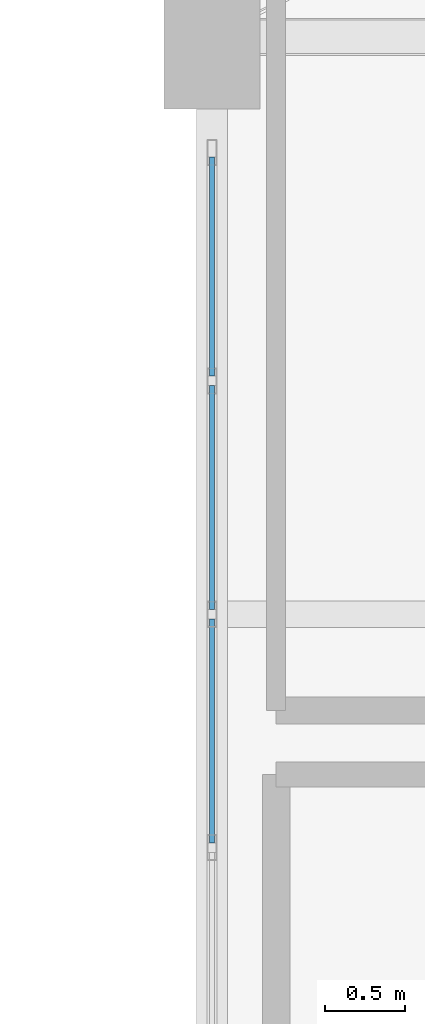
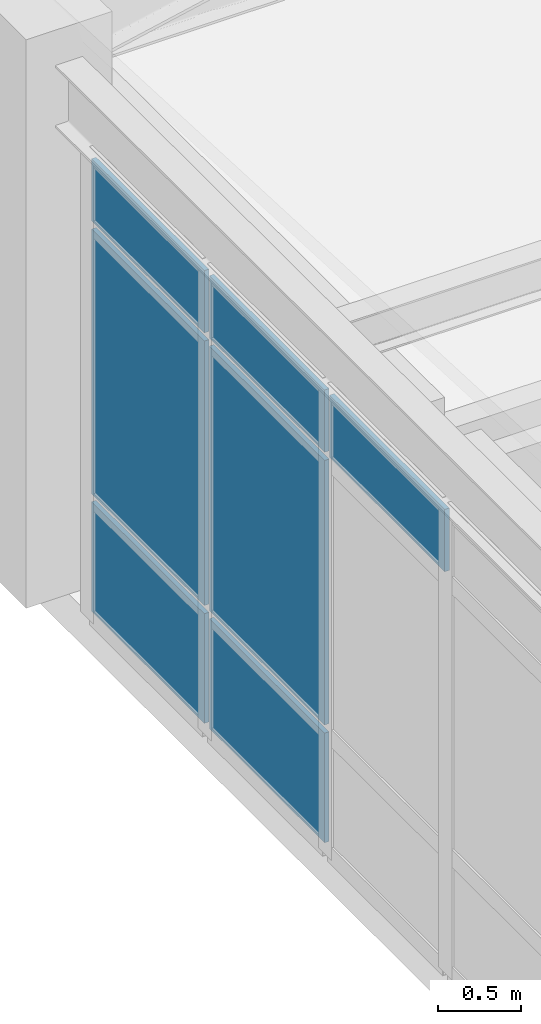
# One storey, part 68 of 113: 7 plates, 1 element without a shape of its own.
"""IFC4 building model written with IfcOpenShell, lengths in metres."""

from ifc_helpers import new_model, si_unit, direction, frame, origin, origin_2d, place, context, subcontext, project, spatial, rectangle, extrude, material, layer, layer_set, type_object, element, aggregate, save


model = new_model("IFC4")

# Units and contexts
model_context = context("Model", 3, precision=1e-05, world=origin(), true_north=direction((0.0, 1.0)))
body_context = subcontext(model_context, "Body", "Model", "MODEL_VIEW")
ifc_project = project(units=[si_unit("LENGTHUNIT", "METRE"), si_unit("AREAUNIT", "SQUARE_METRE"), si_unit("VOLUMEUNIT", "CUBIC_METRE"), si_unit("PLANEANGLEUNIT", "RADIAN"), si_unit("MASSUNIT", "GRAM", prefix="KILO")], contexts=[model_context])

# Site, building, storey
site_placement = place(None, origin())
site = spatial("IfcSite", under=ifc_project, at=site_placement, CompositionType="ELEMENT")
building_placement = place(site_placement, origin())
building = spatial("IfcBuilding", under=site, at=building_placement, Name="Carrowvane Square Congress Hotel", CompositionType="ELEMENT")
storey_placement = place(building_placement, frame((0.0, 0.0, 15.0)))
storey = spatial("IfcBuildingStorey", under=building, at=storey_placement, Name="L03", CompositionType="ELEMENT", Elevation=15.0)

# Curtain wall, plates
ifc_material_1 = material(Name="Anodised aluminium", Category="aluminium")
ifc_layer_1 = layer(ifc_material_1, 0.23388671875)
ifc_layer_set_1 = layer_set([ifc_layer_1], Name="Anodised aluminium")
curtain_wall_type = type_object("IfcCurtainWallType", Name="CW-SYS-7", PredefinedType="NOTDEFINED", material=ifc_layer_set_1)
curtain_wall_placement = place(storey_placement, origin())
curtain_wall = element("IfcCurtainWall", 1, at=curtain_wall_placement, inside=storey, type_object=curtain_wall_type, Name="L03 unitised curtain wall 246", PredefinedType="NOTDEFINED")
ifc_material_2 = material(Name="Double-glazed low-E glass", Category="glass")
ifc_layer_2 = layer(ifc_material_2, 0.031982421875)
ifc_layer_set_2 = layer_set([ifc_layer_2], Name="Double-glazed low-E glass")
plate_type = type_object("IfcPlateType", Name="CW-PAN-2", PredefinedType="CURTAIN_PANEL", material=ifc_layer_set_2)
plate_1_placement = place(storey_placement, frame((134.0, 44.2724609375, 2.945068359375), z_axis=(0.0, 0.0, 1.0), x_axis=(0.0, 1.0, 0.0)))
plate_1 = element("IfcPlate", 2, at=plate_1_placement, type_object=plate_type, Name="CW-7 panel 2.3", PredefinedType="CURTAIN_PANEL", context=body_context, shape_type="SweptSolid", body=[
    extrude(rectangle(XDim=1.39501953125, YDim=0.031982421875, at=origin_2d()), origin(), (0.0, 0.0, 1.0), 0.4599609375),
])
plate_2_placement = place(storey_placement, frame((134.0, 45.7275390625, 0.06005859375), z_axis=(0.0, 0.0, 1.0), x_axis=(0.0, 1.0, 0.0)))
plate_2 = element("IfcPlate", 3, at=plate_2_placement, type_object=plate_type, Name="CW-7 panel 3.1", PredefinedType="CURTAIN_PANEL", context=body_context, shape_type="SweptSolid", body=[
    extrude(rectangle(XDim=1.39501953125, YDim=0.031982421875, at=origin_2d()), origin(), (0.0, 0.0, 1.0), 0.81005859375),
])
plate_3_placement = place(storey_placement, frame((134.0, 45.7275390625, 0.929931640625), z_axis=(0.0, 0.0, 1.0), x_axis=(0.0, 1.0, 0.0)))
plate_3 = element("IfcPlate", 4, at=plate_3_placement, type_object=plate_type, Name="CW-7 panel 3.2", PredefinedType="CURTAIN_PANEL", context=body_context, shape_type="SweptSolid", body=[
    extrude(rectangle(XDim=1.39501953125, YDim=0.031982421875, at=origin_2d()), origin(), (0.0, 0.0, 1.0), 1.955078125),
])
plate_4_placement = place(storey_placement, frame((134.0, 45.7275390625, 2.945068359375), z_axis=(0.0, 0.0, 1.0), x_axis=(0.0, 1.0, 0.0)))
plate_4 = element("IfcPlate", 5, at=plate_4_placement, type_object=plate_type, Name="CW-7 panel 3.3", PredefinedType="CURTAIN_PANEL", context=body_context, shape_type="SweptSolid", body=[
    extrude(rectangle(XDim=1.39501953125, YDim=0.031982421875, at=origin_2d()), origin(), (0.0, 0.0, 1.0), 0.4599609375),
])
plate_5_placement = place(storey_placement, frame((134.0, 47.16748046875, 0.06005859375), z_axis=(0.0, 0.0, 1.0), x_axis=(0.0, 1.0, 0.0)))
plate_5 = element("IfcPlate", 6, at=plate_5_placement, type_object=plate_type, Name="CW-7 panel 4.1", PredefinedType="CURTAIN_PANEL", context=body_context, shape_type="SweptSolid", body=[
    extrude(rectangle(XDim=1.364990234375, YDim=0.031982421875, at=origin_2d()), origin(), (0.0, 0.0, 1.0), 0.81005859375),
])
plate_6_placement = place(storey_placement, frame((134.0, 47.16748046875, 0.929931640625), z_axis=(0.0, 0.0, 1.0), x_axis=(0.0, 1.0, 0.0)))
plate_6 = element("IfcPlate", 7, at=plate_6_placement, type_object=plate_type, Name="CW-7 panel 4.2", PredefinedType="CURTAIN_PANEL", context=body_context, shape_type="SweptSolid", body=[
    extrude(rectangle(XDim=1.364990234375, YDim=0.031982421875, at=origin_2d()), origin(), (0.0, 0.0, 1.0), 1.955078125),
])
plate_7_placement = place(storey_placement, frame((134.0, 47.16748046875, 2.945068359375), z_axis=(0.0, 0.0, 1.0), x_axis=(0.0, 1.0, 0.0)))
plate_7 = element("IfcPlate", 8, at=plate_7_placement, type_object=plate_type, Name="CW-7 panel 4.3", PredefinedType="CURTAIN_PANEL", context=body_context, shape_type="SweptSolid", body=[
    extrude(rectangle(XDim=1.364990234375, YDim=0.031982421875, at=origin_2d()), origin(), (0.0, 0.0, 1.0), 0.4599609375),
])
aggregate(curtain_wall, [plate_1, plate_2, plate_3, plate_4, plate_5, plate_6, plate_7])

save(model, "model.ifc")
